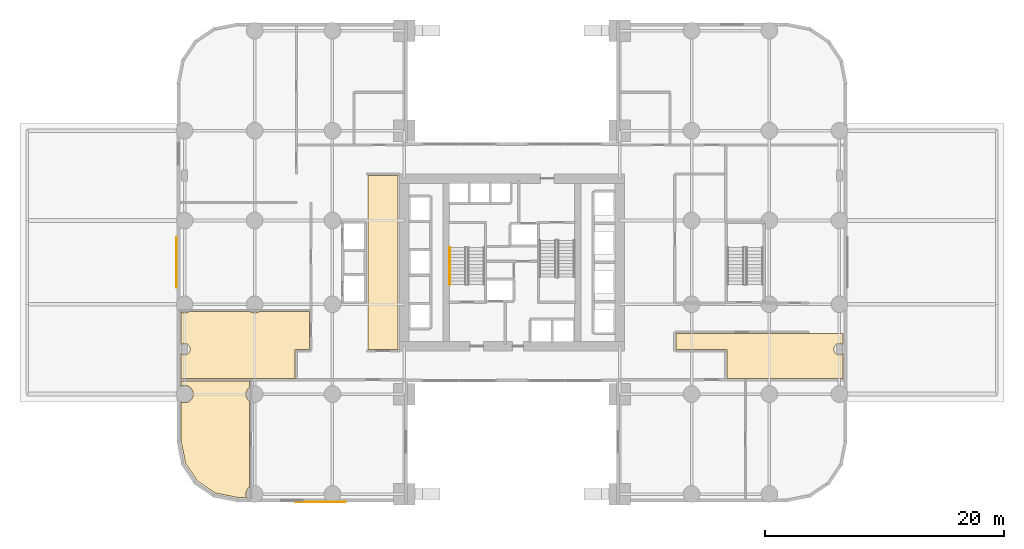
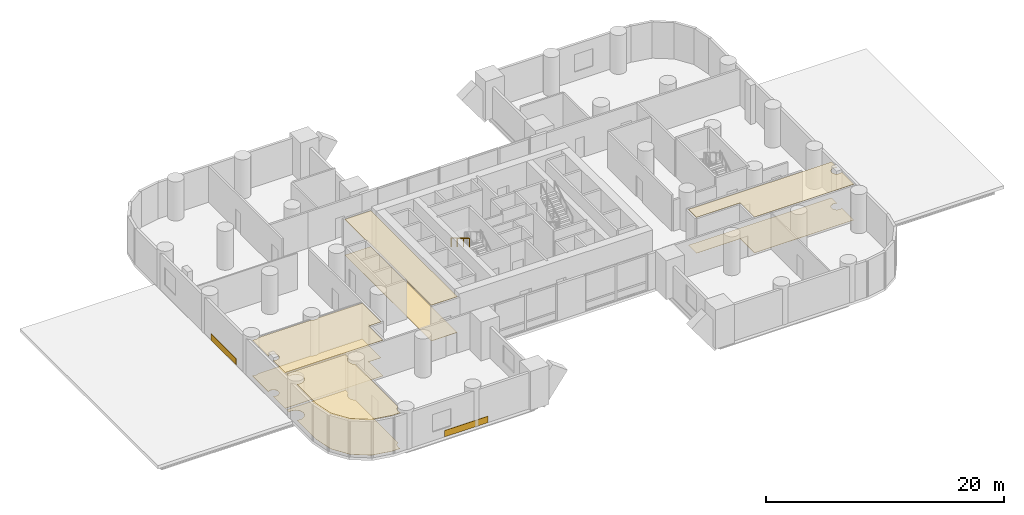
# One storey, part 7 of 8: 10 coverings, 1 railing.
"""IFC4 building model written with IfcOpenShell, lengths in metres."""

from ifc_helpers import new_model, si_unit, direction, frame, origin, origin_2d, place, context, subcontext, project, spatial, polyline, rectangle, outline, extrude, material, layer, layer_set, type_object, element, save


model = new_model("IFC4")

# Units and contexts
model_context = context("Model", 3, precision=1e-05, world=origin(), true_north=direction((0.0, 1.0)))
body_context = subcontext(model_context, "Body", "Model", "MODEL_VIEW")
ifc_project = project(units=[si_unit("LENGTHUNIT", "METRE"), si_unit("AREAUNIT", "SQUARE_METRE"), si_unit("VOLUMEUNIT", "CUBIC_METRE"), si_unit("PLANEANGLEUNIT", "RADIAN"), si_unit("MASSUNIT", "GRAM", prefix="KILO")], contexts=[model_context])

# Site, building, storey
site_placement = place(None, origin())
site = spatial("IfcSite", under=ifc_project, at=site_placement, CompositionType="ELEMENT")
building_placement = place(site_placement, origin())
building = spatial("IfcBuilding", under=site, at=building_placement, Name="Veldorim Arch Residences", CompositionType="ELEMENT")
storey_placement = place(building_placement, frame((0.0, 0.0, 4.0)))
storey = spatial("IfcBuildingStorey", under=building, at=storey_placement, Name="L01", CompositionType="ELEMENT", Elevation=4.0)

# Coverings
ifc_material_1 = material(Name="Acoustic Gypsum & Mineral Fibre", Category="gypsum")
ifc_layer_1 = layer(ifc_material_1, 0.034912109375, Name="Perforated Acoustic Mineral-Fibre Ceiling 35")
ifc_layer_set_1 = layer_set([ifc_layer_1], Name="Acoustic Gypsum & Mineral Fibre")
covering_type_1 = type_object("IfcCoveringType", Name="Perforated Acoustic Mineral-Fibre Ceiling 35", PredefinedType="CEILING", material=ifc_layer_set_1)
covering_1_placement = place(storey_placement, frame((0.0, 0.0, 3.6650390625)))
element("IfcCovering", 1, at=covering_1_placement, inside=storey, type_object=covering_type_1, Name="L01 acoustic suspended ceiling 01", PredefinedType="CEILING", context=body_context, shape_type="SweptSolid", body=[
    extrude(outline(polyline([(5.731201171875, 5.731201171875), (4.72900390625, 7.23095703125), (4.3701171875, 9.036376953125), (4.3701171875, 12.337890625), (4.46240234375, 12.2998046875), (4.64990234375, 12.27490234375), (4.837646484375, 12.2998046875), (5.012451171875, 12.3720703125), (5.16259765625, 12.4873046875), (5.27783203125, 12.637451171875), (5.350341796875, 12.8125), (5.375, 13.0), (5.350341796875, 13.1875), (5.27783203125, 13.362548828125), (5.16259765625, 13.5126953125), (5.012451171875, 13.6279296875), (4.837646484375, 13.7001953125), (4.64990234375, 13.72509765625), (4.46240234375, 13.7001953125), (4.3701171875, 13.662109375), (4.3701171875, 14.080078125), (10.080078125, 14.080078125), (10.080078125, 13.583740234375), (9.9873046875, 13.5126953125), (9.8720703125, 13.362548828125), (9.7998046875, 13.1875), (9.77490234375, 13.0), (9.7998046875, 12.8125), (9.8720703125, 12.637451171875), (9.9873046875, 12.4873046875), (10.080078125, 12.416259765625), (10.080078125, 5.233642578125), (9.9873046875, 5.16259765625), (9.8720703125, 5.012451171875), (9.7998046875, 4.837646484375), (9.77490234375, 4.64990234375), (9.7998046875, 4.46240234375), (9.837890625, 4.3701171875), (9.036376953125, 4.3701171875), (7.23095703125, 4.72900390625), (5.731201171875, 5.731201171875)])), origin(), (0.0, 0.0, 1.0), 0.034912109375),
])
covering_2_placement = place(storey_placement, frame((0.0, 0.0, 3.6650390625)))
element("IfcCovering", 2, at=covering_2_placement, inside=storey, type_object=covering_type_1, Name="L01 acoustic suspended ceiling 02", PredefinedType="CEILING", context=body_context, shape_type="SweptSolid", body=[
    extrude(outline(polyline([(15.080078125, 16.719970703125), (13.8798828125, 16.719970703125), (13.8798828125, 14.320068359375), (4.3701171875, 14.320068359375), (4.3701171875, 16.37109375), (4.41259765625, 16.338623046875), (4.527099609375, 16.291259765625), (4.64990234375, 16.27490234375), (4.77294921875, 16.291259765625), (4.887451171875, 16.338623046875), (4.98583984375, 16.4140625), (5.061279296875, 16.512451171875), (5.10888671875, 16.627197265625), (5.125, 16.75), (5.10888671875, 16.872802734375), (5.061279296875, 16.987548828125), (4.98583984375, 17.0859375), (4.887451171875, 17.161376953125), (4.77294921875, 17.208740234375), (4.64990234375, 17.22509765625), (4.527099609375, 17.208740234375), (4.41259765625, 17.161376953125), (4.3701171875, 17.12890625), (4.3701171875, 19.837890625), (4.46240234375, 19.7998046875), (4.64990234375, 19.77490234375), (4.837646484375, 19.7998046875), (5.022705078125, 19.8798828125), (10.127197265625, 19.8798828125), (10.3125, 19.7998046875), (10.5, 19.77490234375), (10.6875, 19.7998046875), (10.872802734375, 19.8798828125), (15.080078125, 19.8798828125), (15.080078125, 16.719970703125)])), origin(), (0.0, 0.0, 1.0), 0.034912109375),
])
covering_3_placement = place(storey_placement, frame((0.0, 0.0, 3.6650390625)))
element("IfcCovering", 3, at=covering_3_placement, inside=storey, type_object=covering_type_1, Name="L01 acoustic suspended ceiling 03", PredefinedType="CEILING", context=body_context, shape_type="SweptSolid", body=[
    extrude(outline(polyline([(22.47998046875, 31.280029296875), (22.47998046875, 16.719970703125), (19.969970703125, 16.719970703125), (19.969970703125, 31.280029296875), (22.47998046875, 31.280029296875)])), origin(), (0.0, 0.0, 1.0), 0.034912109375),
])
covering_4_placement = place(storey_placement, frame((0.0, 0.0, 3.6650390625)))
element("IfcCovering", 4, at=covering_4_placement, inside=storey, type_object=covering_type_1, Name="L01 acoustic suspended ceiling 04", PredefinedType="CEILING", context=body_context, shape_type="SweptSolid", body=[
    extrude(outline(polyline([(49.969970703125, 16.719970703125), (45.719970703125, 16.719970703125), (45.719970703125, 18.080078125), (59.6298828125, 18.080078125), (59.6298828125, 17.12890625), (59.58740234375, 17.161376953125), (59.472900390625, 17.208740234375), (59.35009765625, 17.22509765625), (59.22705078125, 17.208740234375), (59.112548828125, 17.161376953125), (59.01416015625, 17.0859375), (58.938720703125, 16.987548828125), (58.89111328125, 16.872802734375), (58.875, 16.75), (58.89111328125, 16.627197265625), (58.938720703125, 16.512451171875), (59.01416015625, 16.4140625), (59.112548828125, 16.338623046875), (59.22705078125, 16.291259765625), (59.35009765625, 16.27490234375), (59.472900390625, 16.291259765625), (59.58740234375, 16.338623046875), (59.6298828125, 16.37109375), (59.6298828125, 14.320068359375), (49.969970703125, 14.320068359375), (49.969970703125, 16.719970703125)])), origin(), (0.0, 0.0, 1.0), 0.034912109375),
])
ifc_material_2 = material(Name="Porcelain Ceramic Tile", Category="ceramic")
ifc_layer_2 = layer(ifc_material_2, 0.02001953125, Name="Slip-Resistant Porcelain & Vinyl Floor Finish 20")
ifc_layer_set_2 = layer_set([ifc_layer_2], Name="Porcelain Ceramic Tile")
covering_type_2 = type_object("IfcCoveringType", Name="Slip-Resistant Porcelain & Vinyl Floor Finish 20", PredefinedType="FLOORING", material=ifc_layer_set_2)
covering_5_placement = place(storey_placement, origin())
element("IfcCovering", 5, at=covering_5_placement, inside=storey, type_object=covering_type_2, Name="L01 porcelain floor finish 01", PredefinedType="FLOORING", context=body_context, shape_type="SweptSolid", body=[
    extrude(outline(polyline([(5.731201171875, 5.731201171875), (4.72900390625, 7.23095703125), (4.3701171875, 9.036376953125), (4.3701171875, 12.337890625), (4.46240234375, 12.2998046875), (4.64990234375, 12.27490234375), (4.837646484375, 12.2998046875), (5.012451171875, 12.3720703125), (5.16259765625, 12.4873046875), (5.27783203125, 12.637451171875), (5.350341796875, 12.8125), (5.375, 13.0), (5.350341796875, 13.1875), (5.27783203125, 13.362548828125), (5.16259765625, 13.5126953125), (5.012451171875, 13.6279296875), (4.837646484375, 13.7001953125), (4.64990234375, 13.72509765625), (4.46240234375, 13.7001953125), (4.3701171875, 13.662109375), (4.3701171875, 14.080078125), (10.080078125, 14.080078125), (10.080078125, 13.583740234375), (9.9873046875, 13.5126953125), (9.8720703125, 13.362548828125), (9.7998046875, 13.1875), (9.77490234375, 13.0), (9.7998046875, 12.8125), (9.8720703125, 12.637451171875), (9.9873046875, 12.4873046875), (10.080078125, 12.416259765625), (10.080078125, 5.233642578125), (9.9873046875, 5.16259765625), (9.8720703125, 5.012451171875), (9.7998046875, 4.837646484375), (9.77490234375, 4.64990234375), (9.7998046875, 4.46240234375), (9.837890625, 4.3701171875), (9.036376953125, 4.3701171875), (7.23095703125, 4.72900390625), (5.731201171875, 5.731201171875)])), origin(), (0.0, 0.0, 1.0), 0.02001953125),
])
covering_6_placement = place(storey_placement, origin())
element("IfcCovering", 6, at=covering_6_placement, inside=storey, type_object=covering_type_2, Name="L01 porcelain floor finish 02", PredefinedType="FLOORING", context=body_context, shape_type="SweptSolid", body=[
    extrude(outline(polyline([(15.080078125, 16.719970703125), (13.8798828125, 16.719970703125), (13.8798828125, 14.320068359375), (4.3701171875, 14.320068359375), (4.3701171875, 16.37109375), (4.41259765625, 16.338623046875), (4.527099609375, 16.291259765625), (4.64990234375, 16.27490234375), (4.77294921875, 16.291259765625), (4.887451171875, 16.338623046875), (4.98583984375, 16.4140625), (5.061279296875, 16.512451171875), (5.10888671875, 16.627197265625), (5.125, 16.75), (5.10888671875, 16.872802734375), (5.061279296875, 16.987548828125), (4.98583984375, 17.0859375), (4.887451171875, 17.161376953125), (4.77294921875, 17.208740234375), (4.64990234375, 17.22509765625), (4.527099609375, 17.208740234375), (4.41259765625, 17.161376953125), (4.3701171875, 17.12890625), (4.3701171875, 19.837890625), (4.46240234375, 19.7998046875), (4.64990234375, 19.77490234375), (4.837646484375, 19.7998046875), (5.022705078125, 19.8798828125), (10.127197265625, 19.8798828125), (10.3125, 19.7998046875), (10.5, 19.77490234375), (10.6875, 19.7998046875), (10.872802734375, 19.8798828125), (15.080078125, 19.8798828125), (15.080078125, 16.719970703125)])), origin(), (0.0, 0.0, 1.0), 0.02001953125),
])
covering_7_placement = place(storey_placement, origin())
element("IfcCovering", 7, at=covering_7_placement, inside=storey, type_object=covering_type_2, Name="L01 porcelain floor finish 03", PredefinedType="FLOORING", context=body_context, shape_type="SweptSolid", body=[
    extrude(outline(polyline([(22.47998046875, 31.280029296875), (22.47998046875, 16.719970703125), (19.969970703125, 16.719970703125), (19.969970703125, 31.280029296875), (22.47998046875, 31.280029296875)])), origin(), (0.0, 0.0, 1.0), 0.02001953125),
])
covering_8_placement = place(storey_placement, origin())
element("IfcCovering", 8, at=covering_8_placement, inside=storey, type_object=covering_type_2, Name="L01 porcelain floor finish 04", PredefinedType="FLOORING", context=body_context, shape_type="SweptSolid", body=[
    extrude(outline(polyline([(49.969970703125, 16.719970703125), (45.719970703125, 16.719970703125), (45.719970703125, 18.080078125), (59.6298828125, 18.080078125), (59.6298828125, 17.12890625), (59.58740234375, 17.161376953125), (59.472900390625, 17.208740234375), (59.35009765625, 17.22509765625), (59.22705078125, 17.208740234375), (59.112548828125, 17.161376953125), (59.01416015625, 17.0859375), (58.938720703125, 16.987548828125), (58.89111328125, 16.872802734375), (58.875, 16.75), (58.89111328125, 16.627197265625), (58.938720703125, 16.512451171875), (59.01416015625, 16.4140625), (59.112548828125, 16.338623046875), (59.22705078125, 16.291259765625), (59.35009765625, 16.27490234375), (59.472900390625, 16.291259765625), (59.58740234375, 16.338623046875), (59.6298828125, 16.37109375), (59.6298828125, 14.320068359375), (49.969970703125, 14.320068359375), (49.969970703125, 16.719970703125)])), origin(), (0.0, 0.0, 1.0), 0.02001953125),
])
ifc_material_3 = material(Name="Terracotta Ceramic", Category="masonry")
ifc_layer_3 = layer(ifc_material_3, 0.0400390625, Name="Terracotta Rainscreen Spandrel Cladding Panel")
ifc_layer_set_3 = layer_set([ifc_layer_3], Name="Terracotta Ceramic")
covering_type_3 = type_object("IfcCoveringType", Name="Terracotta Rainscreen Spandrel Cladding Panel", PredefinedType="CLADDING", material=ifc_layer_set_3)
for number, where, z_axis, x_axis, name in (
    (9, (3.989990234375, 24.0, 0.025146484375), (0.0, 0.0, 1.0), (0.0, 1.0, 0.0), "L01 terracotta rainscreen spandrel panel 1"),
    (10, (16.0, 3.989990234375, 0.025146484375), (0.0, 0.0, 1.0), (1.0, 0.0, 0.0), "L01 terracotta rainscreen spandrel panel 3"),
):
    element("IfcCovering", number, at=place(storey_placement, frame(where, z_axis=z_axis, x_axis=x_axis)), inside=storey, type_object=covering_type_3, Name=name, PredefinedType="CLADDING", context=body_context, shape_type="SweptSolid", body=[
        extrude(rectangle(XDim=4.199951171875, YDim=0.0400390625, at=origin_2d()), origin(), (0.0, 0.0, 1.0), 0.64990234375),
    ])

# Railing
ifc_material_4 = material(Name="Stainless Steel", Category="steel")
railing_type = type_object("IfcRailingType", Name="Tubular Steel Continuous Wall Handrail 900", PredefinedType="HANDRAIL", material=ifc_material_4)
railing_placement = place(storey_placement, frame((26.800048828125, 25.22998046875, 2.166748046875)))
element("IfcRailing", 11, at=railing_placement, inside=storey, type_object=railing_type, Name="L01 ST-1 stair handrail 2", PredefinedType="HANDRAIL", context=body_context, shape_type="SweptSolid", body=[
    extrude(rectangle(XDim=0.048095703125, YDim=0.048095703125, at=origin_2d()), frame((0.0, 0.0, 0.8759765625), z_axis=(0.0, -0.859308565015, 0.511457515432), x_axis=(1.0, 0.0, 0.0)), (0.0, 0.0, 1.0), 3.58447265625),
    extrude(rectangle(XDim=0.0419921875, YDim=0.0419921875, at=origin_2d()), origin(), (0.0, 0.0, 1.0), 0.851806640625),
    extrude(rectangle(XDim=0.0419921875, YDim=0.0419921875, at=origin_2d()), frame((0.0, -1.026611328125, 0.611083984375)), (0.0, 0.0, 1.0), 0.851806640625),
    extrude(rectangle(XDim=0.0419921875, YDim=0.0419921875, at=origin_2d()), frame((0.0, -2.053466796875, 1.22216796875)), (0.0, 0.0, 1.0), 0.851806640625),
    extrude(rectangle(XDim=0.0419921875, YDim=0.0419921875, at=origin_2d()), frame((0.0, -3.080078125, 1.833251953125)), (0.0, 0.0, 1.0), 0.851806640625),
])

save(model, "model.ifc")
